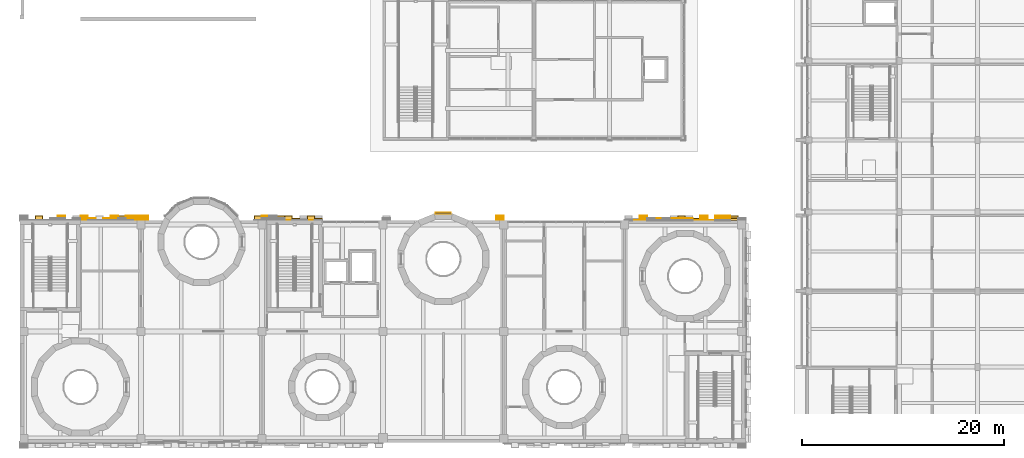
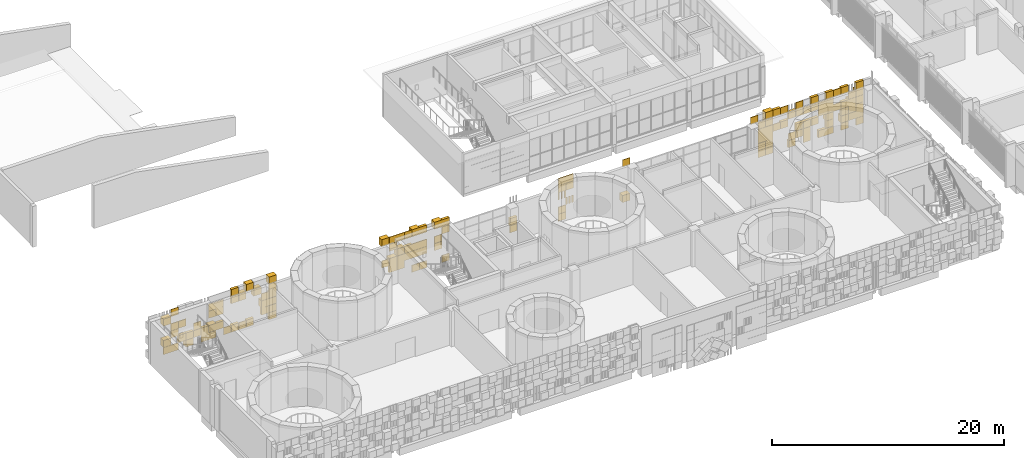
# One storey, part 68 of 92: 6 coverings.
"""IFC4 building model written with IfcOpenShell, lengths in metres."""

from ifc_helpers import new_model, si_unit, direction, frame, origin, origin_2d, place, context, subcontext, project, spatial, rectangle, extrude, material, layer, layer_set, type_object, element, save


model = new_model("IFC4")

# Units and contexts
model_context = context("Model", 3, precision=1e-05, world=origin(), true_north=direction((0.0, 1.0)))
body_context = subcontext(model_context, "Body", "Model", "MODEL_VIEW")
ifc_project = project(units=[si_unit("LENGTHUNIT", "METRE"), si_unit("AREAUNIT", "SQUARE_METRE"), si_unit("VOLUMEUNIT", "CUBIC_METRE"), si_unit("PLANEANGLEUNIT", "RADIAN"), si_unit("MASSUNIT", "GRAM", prefix="KILO")], contexts=[model_context])

# Site, building, storey
site_placement = place(None, origin())
site = spatial("IfcSite", under=ifc_project, at=site_placement, CompositionType="ELEMENT")
building_placement = place(site_placement, origin())
building = spatial("IfcBuilding", under=site, at=building_placement, Name="Sun Court Science Centre", CompositionType="ELEMENT")
storey_placement = place(building_placement, frame((0.0, 0.0, 11.25)))
storey = spatial("IfcBuildingStorey", under=building, at=storey_placement, Name="L02", CompositionType="ELEMENT", Elevation=11.25)

# Coverings
ifc_material_1 = material(Name="Terracotta jali", Category="masonry")
ifc_layer_1 = layer(ifc_material_1, 0.06005859375)
ifc_layer_set_1 = layer_set([ifc_layer_1], Name="Terracotta jali")
covering_type_1 = type_object("IfcCoveringType", Name="Terracotta open jali panel", PredefinedType="CLADDING", material=ifc_layer_set_1)
covering_1_placement = place(storey_placement, frame((0.0, 0.0, -11.25)))
element("IfcCovering", 1, at=covering_1_placement, inside=storey, type_object=covering_type_1, Name="Open jali pixel cladding cone 4 L02", PredefinedType="CLADDING", context=body_context, shape_type="SweptSolid", body=[
    extrude(rectangle(XDim=0.139892578125, YDim=0.06005859375, at=origin_2d()), frame((42.074951171875, 28.74169921875, 12.455078125), z_axis=(0.0, 0.0, 1.0), x_axis=(1.0, 0.0, 0.0)), (0.0, 0.0, 1.0), 0.739990234375),
    extrude(rectangle(XDim=0.139892578125, YDim=0.06005859375, at=origin_2d()), frame((42.375, 28.74169921875, 12.455078125), z_axis=(0.0, 0.0, 1.0), x_axis=(1.0, 0.0, 0.0)), (0.0, 0.0, 1.0), 0.739990234375),
    extrude(rectangle(XDim=0.139892578125, YDim=0.06005859375, at=origin_2d()), frame((42.675048828125, 28.74169921875, 12.455078125), z_axis=(0.0, 0.0, 1.0), x_axis=(1.0, 0.0, 0.0)), (0.0, 0.0, 1.0), 0.739990234375),
    extrude(rectangle(XDim=0.139892578125, YDim=0.06005859375, at=origin_2d()), frame((41.324951171875, 28.74169921875, 13.205078125), z_axis=(0.0, 0.0, 1.0), x_axis=(1.0, 0.0, 0.0)), (0.0, 0.0, 1.0), 0.739990234375),
    extrude(rectangle(XDim=0.139892578125, YDim=0.06005859375, at=origin_2d()), frame((41.625, 28.74169921875, 13.205078125), z_axis=(0.0, 0.0, 1.0), x_axis=(1.0, 0.0, 0.0)), (0.0, 0.0, 1.0), 0.739990234375),
    extrude(rectangle(XDim=0.139892578125, YDim=0.06005859375, at=origin_2d()), frame((41.925048828125, 28.74169921875, 13.205078125), z_axis=(0.0, 0.0, 1.0), x_axis=(1.0, 0.0, 0.0)), (0.0, 0.0, 1.0), 0.739990234375),
])
ifc_material_2 = material(Name="Terracotta shade 1", Category="masonry")
ifc_layer_2 = layer(ifc_material_2, 0.06005859375)
ifc_layer_set_2 = layer_set([ifc_layer_2], Name="Terracotta shade 1")
covering_type_2 = type_object("IfcCoveringType", Name="Terracotta pixel panel shade 1", PredefinedType="CLADDING", material=ifc_layer_set_2)
covering_2_placement = place(storey_placement, frame((0.0, 0.0, -11.25)))
element("IfcCovering", 2, at=covering_2_placement, inside=storey, type_object=covering_type_2, Name="Terracotta pixel cladding shade 1 cone 4 L02", PredefinedType="CLADDING", context=body_context, shape_type="SweptSolid", body=[
    extrude(rectangle(XDim=0.739990234375, YDim=0.06005859375, at=origin_2d()), frame((41.625, 28.74169921875, 11.705078125), z_axis=(0.0, 0.0, 1.0), x_axis=(1.0, 0.0, 0.0)), (0.0, 0.0, 1.0), 0.739990234375),
    extrude(rectangle(XDim=0.739990234375, YDim=0.06005859375, at=origin_2d()), frame((41.625, 28.74169921875, 13.955078125), z_axis=(0.0, 0.0, 1.0), x_axis=(1.0, 0.0, 0.0)), (0.0, 0.0, 1.0), 0.739990234375),
    extrude(rectangle(XDim=0.739990234375, YDim=0.06005859375, at=origin_2d()), frame((42.375, 28.74169921875, 14.705078125), z_axis=(0.0, 0.0, 1.0), x_axis=(1.0, 0.0, 0.0)), (0.0, 0.0, 1.0), 0.739990234375),
    extrude(rectangle(XDim=0.739990234375, YDim=0.06005859375, at=origin_2d()), frame((41.625, 28.74169921875, 14.705078125), z_axis=(0.0, 0.0, 1.0), x_axis=(1.0, 0.0, 0.0)), (0.0, 0.0, 1.0), 0.739990234375),
])
ifc_material_3 = material(Name="Terracotta shade 2", Category="masonry")
ifc_layer_3 = layer(ifc_material_3, 0.06005859375)
ifc_layer_set_3 = layer_set([ifc_layer_3], Name="Terracotta shade 2")
covering_type_3 = type_object("IfcCoveringType", Name="Terracotta pixel panel shade 2", PredefinedType="CLADDING", material=ifc_layer_set_3)
covering_3_placement = place(storey_placement, frame((0.0, 0.0, -11.25)))
element("IfcCovering", 3, at=covering_3_placement, inside=storey, type_object=covering_type_3, Name="Terracotta pixel cladding shade 2 north face L02", PredefinedType="CLADDING", context=body_context, shape_type="SweptSolid", body=[
    extrude(rectangle(XDim=0.739990234375, YDim=0.06005859375, at=origin_2d()), frame((2.625, 28.030029296875, 11.2548828125), z_axis=(0.0, 0.0, 1.0), x_axis=(1.0, 0.0, 0.0)), (0.0, 0.0, 1.0), 0.739990234375),
    extrude(rectangle(XDim=0.739990234375, YDim=0.06005859375, at=origin_2d()), frame((7.875, 28.030029296875, 11.2548828125), z_axis=(0.0, 0.0, 1.0), x_axis=(1.0, 0.0, 0.0)), (0.0, 0.0, 1.0), 0.739990234375),
    extrude(rectangle(XDim=0.739990234375, YDim=0.260009765625, at=origin_2d()), frame((8.625, 28.1298828125, 11.2548828125), z_axis=(0.0, 0.0, 1.0), x_axis=(1.0, 0.0, 0.0)), (0.0, 0.0, 1.0), 0.739990234375),
    extrude(rectangle(XDim=0.739990234375, YDim=0.260009765625, at=origin_2d()), frame((10.125, 28.1298828125, 11.2548828125), z_axis=(0.0, 0.0, 1.0), x_axis=(1.0, 0.0, 0.0)), (0.0, 0.0, 1.0), 0.739990234375),
    extrude(rectangle(XDim=0.739990234375, YDim=0.260009765625, at=origin_2d()), frame((12.375, 28.1298828125, 11.2548828125), z_axis=(0.0, 0.0, 1.0), x_axis=(1.0, 0.0, 0.0)), (0.0, 0.0, 1.0), 0.739990234375),
    extrude(rectangle(XDim=0.739990234375, YDim=0.06005859375, at=origin_2d()), frame((27.375, 28.030029296875, 11.2548828125), z_axis=(0.0, 0.0, 1.0), x_axis=(1.0, 0.0, 0.0)), (0.0, 0.0, 1.0), 0.739990234375),
    extrude(rectangle(XDim=0.739990234375, YDim=0.06005859375, at=origin_2d()), frame((29.625, 28.030029296875, 11.2548828125), z_axis=(0.0, 0.0, 1.0), x_axis=(1.0, 0.0, 0.0)), (0.0, 0.0, 1.0), 0.739990234375),
    extrude(rectangle(XDim=0.739990234375, YDim=0.06005859375, at=origin_2d()), frame((65.625, 28.030029296875, 11.2548828125), z_axis=(0.0, 0.0, 1.0), x_axis=(1.0, 0.0, 0.0)), (0.0, 0.0, 1.0), 0.739990234375),
    extrude(rectangle(XDim=0.739990234375, YDim=0.260009765625, at=origin_2d()), frame((67.125, 28.1298828125, 11.2548828125), z_axis=(0.0, 0.0, 1.0), x_axis=(1.0, 0.0, 0.0)), (0.0, 0.0, 1.0), 0.739990234375),
    extrude(rectangle(XDim=0.739990234375, YDim=0.06005859375, at=origin_2d()), frame((67.875, 28.030029296875, 11.2548828125), z_axis=(0.0, 0.0, 1.0), x_axis=(1.0, 0.0, 0.0)), (0.0, 0.0, 1.0), 0.739990234375),
    extrude(rectangle(XDim=0.739990234375, YDim=0.06005859375, at=origin_2d()), frame((69.375, 28.030029296875, 11.2548828125), z_axis=(0.0, 0.0, 1.0), x_axis=(1.0, 0.0, 0.0)), (0.0, 0.0, 1.0), 0.739990234375),
    extrude(rectangle(XDim=0.739990234375, YDim=0.510009765625, at=origin_2d()), frame((1.875, 28.2548828125, 12.0048828125), z_axis=(0.0, 0.0, 1.0), x_axis=(1.0, 0.0, 0.0)), (0.0, 0.0, 1.0), 0.739990234375),
    extrude(rectangle(XDim=0.739990234375, YDim=0.260009765625, at=origin_2d()), frame((4.125, 28.1298828125, 12.0048828125), z_axis=(0.0, 0.0, 1.0), x_axis=(1.0, 0.0, 0.0)), (0.0, 0.0, 1.0), 0.739990234375),
    extrude(rectangle(XDim=0.739990234375, YDim=0.06005859375, at=origin_2d()), frame((25.125, 28.030029296875, 12.0048828125), z_axis=(0.0, 0.0, 1.0), x_axis=(1.0, 0.0, 0.0)), (0.0, 0.0, 1.0), 0.739990234375),
    extrude(rectangle(XDim=0.739990234375, YDim=0.06005859375, at=origin_2d()), frame((61.875, 28.030029296875, 12.0048828125), z_axis=(0.0, 0.0, 1.0), x_axis=(1.0, 0.0, 0.0)), (0.0, 0.0, 1.0), 0.739990234375),
    extrude(rectangle(XDim=0.739990234375, YDim=0.06005859375, at=origin_2d()), frame((64.125, 28.030029296875, 12.0048828125), z_axis=(0.0, 0.0, 1.0), x_axis=(1.0, 0.0, 0.0)), (0.0, 0.0, 1.0), 0.739990234375),
    extrude(rectangle(XDim=0.739990234375, YDim=0.06005859375, at=origin_2d()), frame((64.875, 28.030029296875, 12.0048828125), z_axis=(0.0, 0.0, 1.0), x_axis=(1.0, 0.0, 0.0)), (0.0, 0.0, 1.0), 0.739990234375),
    extrude(rectangle(XDim=0.739990234375, YDim=0.510009765625, at=origin_2d()), frame((65.625, 28.2548828125, 12.0048828125), z_axis=(0.0, 0.0, 1.0), x_axis=(1.0, 0.0, 0.0)), (0.0, 0.0, 1.0), 0.739990234375),
    extrude(rectangle(XDim=0.739990234375, YDim=0.260009765625, at=origin_2d()), frame((70.125, 28.1298828125, 12.0048828125), z_axis=(0.0, 0.0, 1.0), x_axis=(1.0, 0.0, 0.0)), (0.0, 0.0, 1.0), 0.739990234375),
    extrude(rectangle(XDim=0.739990234375, YDim=0.260009765625, at=origin_2d()), frame((25.125, 28.1298828125, 12.7548828125), z_axis=(0.0, 0.0, 1.0), x_axis=(1.0, 0.0, 0.0)), (0.0, 0.0, 1.0), 0.739990234375),
    extrude(rectangle(XDim=0.739990234375, YDim=0.510009765625, at=origin_2d()), frame((25.875, 28.2548828125, 12.7548828125), z_axis=(0.0, 0.0, 1.0), x_axis=(1.0, 0.0, 0.0)), (0.0, 0.0, 1.0), 0.739990234375),
    extrude(rectangle(XDim=0.739990234375, YDim=0.510009765625, at=origin_2d()), frame((26.625, 28.2548828125, 12.7548828125), z_axis=(0.0, 0.0, 1.0), x_axis=(1.0, 0.0, 0.0)), (0.0, 0.0, 1.0), 0.739990234375),
    extrude(rectangle(XDim=0.739990234375, YDim=0.260009765625, at=origin_2d()), frame((27.375, 28.1298828125, 12.7548828125), z_axis=(0.0, 0.0, 1.0), x_axis=(1.0, 0.0, 0.0)), (0.0, 0.0, 1.0), 0.739990234375),
    extrude(rectangle(XDim=0.739990234375, YDim=0.06005859375, at=origin_2d()), frame((28.875, 28.030029296875, 12.7548828125), z_axis=(0.0, 0.0, 1.0), x_axis=(1.0, 0.0, 0.0)), (0.0, 0.0, 1.0), 0.739990234375),
    extrude(rectangle(XDim=0.739990234375, YDim=0.06005859375, at=origin_2d()), frame((61.125, 28.030029296875, 12.7548828125), z_axis=(0.0, 0.0, 1.0), x_axis=(1.0, 0.0, 0.0)), (0.0, 0.0, 1.0), 0.739990234375),
    extrude(rectangle(XDim=0.739990234375, YDim=0.06005859375, at=origin_2d()), frame((61.875, 28.030029296875, 12.7548828125), z_axis=(0.0, 0.0, 1.0), x_axis=(1.0, 0.0, 0.0)), (0.0, 0.0, 1.0), 0.739990234375),
    extrude(rectangle(XDim=0.739990234375, YDim=0.260009765625, at=origin_2d()), frame((69.375, 28.1298828125, 12.7548828125), z_axis=(0.0, 0.0, 1.0), x_axis=(1.0, 0.0, 0.0)), (0.0, 0.0, 1.0), 0.739990234375),
    extrude(rectangle(XDim=0.739990234375, YDim=0.06005859375, at=origin_2d()), frame((3.375, 28.030029296875, 13.5048828125), z_axis=(0.0, 0.0, 1.0), x_axis=(1.0, 0.0, 0.0)), (0.0, 0.0, 1.0), 0.739990234375),
    extrude(rectangle(XDim=0.739990234375, YDim=0.06005859375, at=origin_2d()), frame((6.375, 28.030029296875, 13.5048828125), z_axis=(0.0, 0.0, 1.0), x_axis=(1.0, 0.0, 0.0)), (0.0, 0.0, 1.0), 0.739990234375),
    extrude(rectangle(XDim=0.739990234375, YDim=0.260009765625, at=origin_2d()), frame((12.375, 28.1298828125, 13.5048828125), z_axis=(0.0, 0.0, 1.0), x_axis=(1.0, 0.0, 0.0)), (0.0, 0.0, 1.0), 0.739990234375),
    extrude(rectangle(XDim=0.739990234375, YDim=0.260009765625, at=origin_2d()), frame((25.875, 28.1298828125, 13.5048828125), z_axis=(0.0, 0.0, 1.0), x_axis=(1.0, 0.0, 0.0)), (0.0, 0.0, 1.0), 0.739990234375),
    extrude(rectangle(XDim=0.739990234375, YDim=0.06005859375, at=origin_2d()), frame((26.625, 28.030029296875, 13.5048828125), z_axis=(0.0, 0.0, 1.0), x_axis=(1.0, 0.0, 0.0)), (0.0, 0.0, 1.0), 0.739990234375),
    extrude(rectangle(XDim=0.739990234375, YDim=0.06005859375, at=origin_2d()), frame((27.375, 28.030029296875, 13.5048828125), z_axis=(0.0, 0.0, 1.0), x_axis=(1.0, 0.0, 0.0)), (0.0, 0.0, 1.0), 0.739990234375),
    extrude(rectangle(XDim=0.739990234375, YDim=0.06005859375, at=origin_2d()), frame((61.125, 28.030029296875, 13.5048828125), z_axis=(0.0, 0.0, 1.0), x_axis=(1.0, 0.0, 0.0)), (0.0, 0.0, 1.0), 0.739990234375),
    extrude(rectangle(XDim=0.739990234375, YDim=0.06005859375, at=origin_2d()), frame((61.875, 28.030029296875, 13.5048828125), z_axis=(0.0, 0.0, 1.0), x_axis=(1.0, 0.0, 0.0)), (0.0, 0.0, 1.0), 0.739990234375),
    extrude(rectangle(XDim=0.739990234375, YDim=0.06005859375, at=origin_2d()), frame((12.375, 28.030029296875, 14.2548828125), z_axis=(0.0, 0.0, 1.0), x_axis=(1.0, 0.0, 0.0)), (0.0, 0.0, 1.0), 0.739990234375),
    extrude(rectangle(XDim=0.739990234375, YDim=0.06005859375, at=origin_2d()), frame((24.375, 28.030029296875, 14.2548828125), z_axis=(0.0, 0.0, 1.0), x_axis=(1.0, 0.0, 0.0)), (0.0, 0.0, 1.0), 0.739990234375),
    extrude(rectangle(XDim=0.739990234375, YDim=0.06005859375, at=origin_2d()), frame((61.125, 28.030029296875, 14.2548828125), z_axis=(0.0, 0.0, 1.0), x_axis=(1.0, 0.0, 0.0)), (0.0, 0.0, 1.0), 0.739990234375),
    extrude(rectangle(XDim=0.739990234375, YDim=0.260009765625, at=origin_2d()), frame((64.125, 28.1298828125, 14.2548828125), z_axis=(0.0, 0.0, 1.0), x_axis=(1.0, 0.0, 0.0)), (0.0, 0.0, 1.0), 0.739990234375),
    extrude(rectangle(XDim=0.739990234375, YDim=0.260009765625, at=origin_2d()), frame((64.875, 28.1298828125, 14.2548828125), z_axis=(0.0, 0.0, 1.0), x_axis=(1.0, 0.0, 0.0)), (0.0, 0.0, 1.0), 0.739990234375),
    extrude(rectangle(XDim=0.739990234375, YDim=0.06005859375, at=origin_2d()), frame((65.625, 28.030029296875, 14.2548828125), z_axis=(0.0, 0.0, 1.0), x_axis=(1.0, 0.0, 0.0)), (0.0, 0.0, 1.0), 0.739990234375),
    extrude(rectangle(XDim=0.739990234375, YDim=0.510009765625, at=origin_2d()), frame((10.125, 28.2548828125, 15.0048828125), z_axis=(0.0, 0.0, 1.0), x_axis=(1.0, 0.0, 0.0)), (0.0, 0.0, 1.0), 0.739990234375),
    extrude(rectangle(XDim=0.739990234375, YDim=0.510009765625, at=origin_2d()), frame((23.625, 28.2548828125, 15.0048828125), z_axis=(0.0, 0.0, 1.0), x_axis=(1.0, 0.0, 0.0)), (0.0, 0.0, 1.0), 0.739990234375),
    extrude(rectangle(XDim=0.739990234375, YDim=0.510009765625, at=origin_2d()), frame((26.625, 28.2548828125, 15.0048828125), z_axis=(0.0, 0.0, 1.0), x_axis=(1.0, 0.0, 0.0)), (0.0, 0.0, 1.0), 0.739990234375),
    extrude(rectangle(XDim=0.739990234375, YDim=0.260009765625, at=origin_2d()), frame((27.375, 28.1298828125, 15.0048828125), z_axis=(0.0, 0.0, 1.0), x_axis=(1.0, 0.0, 0.0)), (0.0, 0.0, 1.0), 0.739990234375),
    extrude(rectangle(XDim=0.739990234375, YDim=0.510009765625, at=origin_2d()), frame((28.875, 28.2548828125, 15.0048828125), z_axis=(0.0, 0.0, 1.0), x_axis=(1.0, 0.0, 0.0)), (0.0, 0.0, 1.0), 0.739990234375),
    extrude(rectangle(XDim=0.739990234375, YDim=0.260009765625, at=origin_2d()), frame((29.625, 28.1298828125, 15.0048828125), z_axis=(0.0, 0.0, 1.0), x_axis=(1.0, 0.0, 0.0)), (0.0, 0.0, 1.0), 0.739990234375),
    extrude(rectangle(XDim=0.739990234375, YDim=0.510009765625, at=origin_2d()), frame((61.875, 28.2548828125, 15.0048828125), z_axis=(0.0, 0.0, 1.0), x_axis=(1.0, 0.0, 0.0)), (0.0, 0.0, 1.0), 0.739990234375),
    extrude(rectangle(XDim=0.739990234375, YDim=0.06005859375, at=origin_2d()), frame((64.875, 28.030029296875, 15.0048828125), z_axis=(0.0, 0.0, 1.0), x_axis=(1.0, 0.0, 0.0)), (0.0, 0.0, 1.0), 0.739990234375),
    extrude(rectangle(XDim=0.739990234375, YDim=0.06005859375, at=origin_2d()), frame((68.625, 28.030029296875, 15.0048828125), z_axis=(0.0, 0.0, 1.0), x_axis=(1.0, 0.0, 0.0)), (0.0, 0.0, 1.0), 0.739990234375),
    extrude(rectangle(XDim=0.739990234375, YDim=0.260009765625, at=origin_2d()), frame((70.875, 28.1298828125, 15.0048828125), z_axis=(0.0, 0.0, 1.0), x_axis=(1.0, 0.0, 0.0)), (0.0, 0.0, 1.0), 0.739990234375),
    extrude(rectangle(XDim=0.739990234375, YDim=0.510009765625, at=origin_2d()), frame((1.875, 28.2548828125, 14.2548828125), z_axis=(0.0, 0.0, 1.0), x_axis=(1.0, 0.0, 0.0)), (0.0, 0.0, 1.0), 0.739990234375),
    extrude(rectangle(XDim=0.739990234375, YDim=0.06005859375, at=origin_2d()), frame((70.875, 28.030029296875, 12.0048828125), z_axis=(0.0, 0.0, 1.0), x_axis=(1.0, 0.0, 0.0)), (0.0, 0.0, 1.0), 0.739990234375),
    extrude(rectangle(XDim=0.739990234375, YDim=0.510009765625, at=origin_2d()), frame((70.875, 28.2548828125, 14.2548828125), z_axis=(0.0, 0.0, 1.0), x_axis=(1.0, 0.0, 0.0)), (0.0, 0.0, 1.0), 0.739990234375),
    extrude(rectangle(XDim=0.739990234375, YDim=0.06005859375, at=origin_2d()), frame((1.875, 28.030029296875, 11.2548828125), z_axis=(0.0, 0.0, 1.0), x_axis=(1.0, 0.0, 0.0)), (0.0, 0.0, 1.0), 0.739990234375),
    extrude(rectangle(XDim=0.739990234375, YDim=0.06005859375, at=origin_2d()), frame((70.875, 28.030029296875, 11.2548828125), z_axis=(0.0, 0.0, 1.0), x_axis=(1.0, 0.0, 0.0)), (0.0, 0.0, 1.0), 0.739990234375),
    extrude(rectangle(XDim=0.739990234375, YDim=0.260009765625, at=origin_2d()), frame((70.875, 28.1298828125, 12.7548828125), z_axis=(0.0, 0.0, 1.0), x_axis=(1.0, 0.0, 0.0)), (0.0, 0.0, 1.0), 0.739990234375),
    extrude(rectangle(XDim=0.739990234375, YDim=0.510009765625, at=origin_2d()), frame((70.875, 28.2548828125, 13.5048828125), z_axis=(0.0, 0.0, 1.0), x_axis=(1.0, 0.0, 0.0)), (0.0, 0.0, 1.0), 0.739990234375),
])
ifc_material_4 = material(Name="Terracotta shade 3", Category="masonry")
ifc_layer_4 = layer(ifc_material_4, 0.06005859375)
ifc_layer_set_4 = layer_set([ifc_layer_4], Name="Terracotta shade 3")
covering_type_4 = type_object("IfcCoveringType", Name="Terracotta pixel panel shade 3", PredefinedType="CLADDING", material=ifc_layer_set_4)
covering_4_placement = place(storey_placement, frame((0.0, 0.0, -11.25)))
element("IfcCovering", 4, at=covering_4_placement, inside=storey, type_object=covering_type_4, Name="Terracotta pixel cladding shade 3 north face L02", PredefinedType="CLADDING", context=body_context, shape_type="SweptSolid", body=[
    extrude(rectangle(XDim=0.739990234375, YDim=0.510009765625, at=origin_2d()), frame((4.125, 28.2548828125, 11.2548828125), z_axis=(0.0, 0.0, 1.0), x_axis=(1.0, 0.0, 0.0)), (0.0, 0.0, 1.0), 0.739990234375),
    extrude(rectangle(XDim=0.739990234375, YDim=0.06005859375, at=origin_2d()), frame((5.625, 28.030029296875, 11.2548828125), z_axis=(0.0, 0.0, 1.0), x_axis=(1.0, 0.0, 0.0)), (0.0, 0.0, 1.0), 0.739990234375),
    extrude(rectangle(XDim=0.739990234375, YDim=0.06005859375, at=origin_2d()), frame((6.375, 28.030029296875, 11.2548828125), z_axis=(0.0, 0.0, 1.0), x_axis=(1.0, 0.0, 0.0)), (0.0, 0.0, 1.0), 0.739990234375),
    extrude(rectangle(XDim=0.739990234375, YDim=0.06005859375, at=origin_2d()), frame((9.375, 28.030029296875, 11.2548828125), z_axis=(0.0, 0.0, 1.0), x_axis=(1.0, 0.0, 0.0)), (0.0, 0.0, 1.0), 0.739990234375),
    extrude(rectangle(XDim=0.739990234375, YDim=0.06005859375, at=origin_2d()), frame((26.625, 28.030029296875, 11.2548828125), z_axis=(0.0, 0.0, 1.0), x_axis=(1.0, 0.0, 0.0)), (0.0, 0.0, 1.0), 0.739990234375),
    extrude(rectangle(XDim=0.739990234375, YDim=0.06005859375, at=origin_2d()), frame((61.125, 28.030029296875, 11.2548828125), z_axis=(0.0, 0.0, 1.0), x_axis=(1.0, 0.0, 0.0)), (0.0, 0.0, 1.0), 0.739990234375),
    extrude(rectangle(XDim=0.739990234375, YDim=0.260009765625, at=origin_2d()), frame((3.375, 28.1298828125, 12.0048828125), z_axis=(0.0, 0.0, 1.0), x_axis=(1.0, 0.0, 0.0)), (0.0, 0.0, 1.0), 0.739990234375),
    extrude(rectangle(XDim=0.739990234375, YDim=0.260009765625, at=origin_2d()), frame((5.625, 28.1298828125, 12.0048828125), z_axis=(0.0, 0.0, 1.0), x_axis=(1.0, 0.0, 0.0)), (0.0, 0.0, 1.0), 0.739990234375),
    extrude(rectangle(XDim=0.739990234375, YDim=0.260009765625, at=origin_2d()), frame((11.625, 28.1298828125, 12.0048828125), z_axis=(0.0, 0.0, 1.0), x_axis=(1.0, 0.0, 0.0)), (0.0, 0.0, 1.0), 0.739990234375),
    extrude(rectangle(XDim=0.739990234375, YDim=0.260009765625, at=origin_2d()), frame((67.875, 28.1298828125, 12.0048828125), z_axis=(0.0, 0.0, 1.0), x_axis=(1.0, 0.0, 0.0)), (0.0, 0.0, 1.0), 0.739990234375),
    extrude(rectangle(XDim=0.739990234375, YDim=0.510009765625, at=origin_2d()), frame((69.375, 28.2548828125, 12.0048828125), z_axis=(0.0, 0.0, 1.0), x_axis=(1.0, 0.0, 0.0)), (0.0, 0.0, 1.0), 0.739990234375),
    extrude(rectangle(XDim=0.739990234375, YDim=0.06005859375, at=origin_2d()), frame((2.625, 28.030029296875, 12.7548828125), z_axis=(0.0, 0.0, 1.0), x_axis=(1.0, 0.0, 0.0)), (0.0, 0.0, 1.0), 0.739990234375),
    extrude(rectangle(XDim=0.739990234375, YDim=0.06005859375, at=origin_2d()), frame((4.875, 28.030029296875, 12.7548828125), z_axis=(0.0, 0.0, 1.0), x_axis=(1.0, 0.0, 0.0)), (0.0, 0.0, 1.0), 0.739990234375),
    extrude(rectangle(XDim=0.739990234375, YDim=0.510009765625, at=origin_2d()), frame((11.625, 28.2548828125, 12.7548828125), z_axis=(0.0, 0.0, 1.0), x_axis=(1.0, 0.0, 0.0)), (0.0, 0.0, 1.0), 0.739990234375),
    extrude(rectangle(XDim=0.739990234375, YDim=0.06005859375, at=origin_2d()), frame((12.375, 28.030029296875, 12.7548828125), z_axis=(0.0, 0.0, 1.0), x_axis=(1.0, 0.0, 0.0)), (0.0, 0.0, 1.0), 0.739990234375),
    extrude(rectangle(XDim=0.739990234375, YDim=0.260009765625, at=origin_2d()), frame((36.375, 28.1298828125, 12.7548828125), z_axis=(0.0, 0.0, 1.0), x_axis=(1.0, 0.0, 0.0)), (0.0, 0.0, 1.0), 0.739990234375),
    extrude(rectangle(XDim=0.739990234375, YDim=0.260009765625, at=origin_2d()), frame((64.875, 28.1298828125, 12.7548828125), z_axis=(0.0, 0.0, 1.0), x_axis=(1.0, 0.0, 0.0)), (0.0, 0.0, 1.0), 0.739990234375),
    extrude(rectangle(XDim=0.739990234375, YDim=0.260009765625, at=origin_2d()), frame((65.625, 28.1298828125, 12.7548828125), z_axis=(0.0, 0.0, 1.0), x_axis=(1.0, 0.0, 0.0)), (0.0, 0.0, 1.0), 0.739990234375),
    extrude(rectangle(XDim=0.739990234375, YDim=0.260009765625, at=origin_2d()), frame((66.375, 28.1298828125, 12.7548828125), z_axis=(0.0, 0.0, 1.0), x_axis=(1.0, 0.0, 0.0)), (0.0, 0.0, 1.0), 0.739990234375),
    extrude(rectangle(XDim=0.739990234375, YDim=0.510009765625, at=origin_2d()), frame((67.875, 28.2548828125, 12.7548828125), z_axis=(0.0, 0.0, 1.0), x_axis=(1.0, 0.0, 0.0)), (0.0, 0.0, 1.0), 0.739990234375),
    extrude(rectangle(XDim=0.739990234375, YDim=0.06005859375, at=origin_2d()), frame((2.625, 28.030029296875, 13.5048828125), z_axis=(0.0, 0.0, 1.0), x_axis=(1.0, 0.0, 0.0)), (0.0, 0.0, 1.0), 0.739990234375),
    extrude(rectangle(XDim=0.739990234375, YDim=0.06005859375, at=origin_2d()), frame((7.125, 28.030029296875, 13.5048828125), z_axis=(0.0, 0.0, 1.0), x_axis=(1.0, 0.0, 0.0)), (0.0, 0.0, 1.0), 0.739990234375),
    extrude(rectangle(XDim=0.739990234375, YDim=0.06005859375, at=origin_2d()), frame((11.625, 28.030029296875, 13.5048828125), z_axis=(0.0, 0.0, 1.0), x_axis=(1.0, 0.0, 0.0)), (0.0, 0.0, 1.0), 0.739990234375),
    extrude(rectangle(XDim=0.739990234375, YDim=0.510009765625, at=origin_2d()), frame((25.125, 28.2548828125, 13.5048828125), z_axis=(0.0, 0.0, 1.0), x_axis=(1.0, 0.0, 0.0)), (0.0, 0.0, 1.0), 0.739990234375),
    extrude(rectangle(XDim=0.739990234375, YDim=0.06005859375, at=origin_2d()), frame((62.625, 28.030029296875, 13.5048828125), z_axis=(0.0, 0.0, 1.0), x_axis=(1.0, 0.0, 0.0)), (0.0, 0.0, 1.0), 0.739990234375),
    extrude(rectangle(XDim=0.739990234375, YDim=0.260009765625, at=origin_2d()), frame((69.375, 28.1298828125, 13.5048828125), z_axis=(0.0, 0.0, 1.0), x_axis=(1.0, 0.0, 0.0)), (0.0, 0.0, 1.0), 0.739990234375),
    extrude(rectangle(XDim=0.739990234375, YDim=0.06005859375, at=origin_2d()), frame((6.375, 28.030029296875, 14.2548828125), z_axis=(0.0, 0.0, 1.0), x_axis=(1.0, 0.0, 0.0)), (0.0, 0.0, 1.0), 0.739990234375),
    extrude(rectangle(XDim=0.739990234375, YDim=0.06005859375, at=origin_2d()), frame((7.125, 28.030029296875, 14.2548828125), z_axis=(0.0, 0.0, 1.0), x_axis=(1.0, 0.0, 0.0)), (0.0, 0.0, 1.0), 0.739990234375),
    extrude(rectangle(XDim=0.739990234375, YDim=0.510009765625, at=origin_2d()), frame((10.875, 28.2548828125, 14.2548828125), z_axis=(0.0, 0.0, 1.0), x_axis=(1.0, 0.0, 0.0)), (0.0, 0.0, 1.0), 0.739990234375),
    extrude(rectangle(XDim=0.739990234375, YDim=0.06005859375, at=origin_2d()), frame((29.625, 28.030029296875, 14.2548828125), z_axis=(0.0, 0.0, 1.0), x_axis=(1.0, 0.0, 0.0)), (0.0, 0.0, 1.0), 0.739990234375),
    extrude(rectangle(XDim=0.739990234375, YDim=0.510009765625, at=origin_2d()), frame((61.875, 28.2548828125, 14.2548828125), z_axis=(0.0, 0.0, 1.0), x_axis=(1.0, 0.0, 0.0)), (0.0, 0.0, 1.0), 0.739990234375),
    extrude(rectangle(XDim=0.739990234375, YDim=0.06005859375, at=origin_2d()), frame((66.375, 28.030029296875, 14.2548828125), z_axis=(0.0, 0.0, 1.0), x_axis=(1.0, 0.0, 0.0)), (0.0, 0.0, 1.0), 0.739990234375),
    extrude(rectangle(XDim=0.739990234375, YDim=0.06005859375, at=origin_2d()), frame((70.125, 28.030029296875, 14.2548828125), z_axis=(0.0, 0.0, 1.0), x_axis=(1.0, 0.0, 0.0)), (0.0, 0.0, 1.0), 0.739990234375),
    extrude(rectangle(XDim=0.739990234375, YDim=0.260009765625, at=origin_2d()), frame((8.625, 28.1298828125, 15.0048828125), z_axis=(0.0, 0.0, 1.0), x_axis=(1.0, 0.0, 0.0)), (0.0, 0.0, 1.0), 0.739990234375),
    extrude(rectangle(XDim=0.739990234375, YDim=0.06005859375, at=origin_2d()), frame((24.375, 28.030029296875, 15.0048828125), z_axis=(0.0, 0.0, 1.0), x_axis=(1.0, 0.0, 0.0)), (0.0, 0.0, 1.0), 0.739990234375),
    extrude(rectangle(XDim=0.739990234375, YDim=0.06005859375, at=origin_2d()), frame((25.125, 28.030029296875, 15.0048828125), z_axis=(0.0, 0.0, 1.0), x_axis=(1.0, 0.0, 0.0)), (0.0, 0.0, 1.0), 0.739990234375),
    extrude(rectangle(XDim=0.739990234375, YDim=0.06005859375, at=origin_2d()), frame((47.625, 28.030029296875, 15.0048828125), z_axis=(0.0, 0.0, 1.0), x_axis=(1.0, 0.0, 0.0)), (0.0, 0.0, 1.0), 0.739990234375),
    extrude(rectangle(XDim=0.739990234375, YDim=0.06005859375, at=origin_2d()), frame((60.375, 28.030029296875, 15.0048828125), z_axis=(0.0, 0.0, 1.0), x_axis=(1.0, 0.0, 0.0)), (0.0, 0.0, 1.0), 0.739990234375),
    extrude(rectangle(XDim=0.739990234375, YDim=0.260009765625, at=origin_2d()), frame((62.625, 28.1298828125, 15.0048828125), z_axis=(0.0, 0.0, 1.0), x_axis=(1.0, 0.0, 0.0)), (0.0, 0.0, 1.0), 0.739990234375),
    extrude(rectangle(XDim=0.739990234375, YDim=0.260009765625, at=origin_2d()), frame((66.375, 28.1298828125, 15.0048828125), z_axis=(0.0, 0.0, 1.0), x_axis=(1.0, 0.0, 0.0)), (0.0, 0.0, 1.0), 0.739990234375),
    extrude(rectangle(XDim=0.739990234375, YDim=0.06005859375, at=origin_2d()), frame((2.625, 28.030029296875, 15.0048828125), z_axis=(0.0, 0.0, 1.0), x_axis=(1.0, 0.0, 0.0)), (0.0, 0.0, 1.0), 0.739990234375),
    extrude(rectangle(XDim=0.739990234375, YDim=0.510009765625, at=origin_2d()), frame((70.125, 28.2548828125, 13.5048828125), z_axis=(0.0, 0.0, 1.0), x_axis=(1.0, 0.0, 0.0)), (0.0, 0.0, 1.0), 0.739990234375),
    extrude(rectangle(XDim=0.739990234375, YDim=0.510009765625, at=origin_2d()), frame((70.125, 28.2548828125, 12.7548828125), z_axis=(0.0, 0.0, 1.0), x_axis=(1.0, 0.0, 0.0)), (0.0, 0.0, 1.0), 0.739990234375),
])
covering_5_placement = place(storey_placement, frame((0.0, 0.0, -11.25)))
element("IfcCovering", 5, at=covering_5_placement, inside=storey, type_object=covering_type_4, Name="Terracotta pixel cladding shade 3 cone 4 L02", PredefinedType="CLADDING", context=body_context, shape_type="SweptSolid", body=[
    extrude(rectangle(XDim=0.739990234375, YDim=0.06005859375, at=origin_2d()), frame((41.625, 28.74169921875, 10.955078125), z_axis=(0.0, 0.0, 1.0), x_axis=(1.0, 0.0, 0.0)), (0.0, 0.0, 1.0), 0.739990234375),
    extrude(rectangle(XDim=0.739990234375, YDim=0.06005859375, at=origin_2d()), frame((42.375, 28.74169921875, 13.955078125), z_axis=(0.0, 0.0, 1.0), x_axis=(1.0, 0.0, 0.0)), (0.0, 0.0, 1.0), 0.739990234375),
])
ifc_material_5 = material(Name="Terracotta shade 4", Category="masonry")
ifc_layer_5 = layer(ifc_material_5, 0.06005859375)
ifc_layer_set_5 = layer_set([ifc_layer_5], Name="Terracotta shade 4")
covering_type_5 = type_object("IfcCoveringType", Name="Terracotta pixel panel shade 4", PredefinedType="CLADDING", material=ifc_layer_set_5)
covering_6_placement = place(storey_placement, frame((0.0, 0.0, -11.25)))
element("IfcCovering", 6, at=covering_6_placement, inside=storey, type_object=covering_type_5, Name="Terracotta pixel cladding shade 4 north face L02", PredefinedType="CLADDING", context=body_context, shape_type="SweptSolid", body=[
    extrude(rectangle(XDim=0.739990234375, YDim=0.510009765625, at=origin_2d()), frame((47.625, 28.2548828125, 11.2548828125), z_axis=(0.0, 0.0, 1.0), x_axis=(1.0, 0.0, 0.0)), (0.0, 0.0, 1.0), 0.739990234375),
    extrude(rectangle(XDim=0.739990234375, YDim=0.06005859375, at=origin_2d()), frame((61.875, 28.030029296875, 11.2548828125), z_axis=(0.0, 0.0, 1.0), x_axis=(1.0, 0.0, 0.0)), (0.0, 0.0, 1.0), 0.739990234375),
    extrude(rectangle(XDim=0.739990234375, YDim=0.260009765625, at=origin_2d()), frame((64.125, 28.1298828125, 11.2548828125), z_axis=(0.0, 0.0, 1.0), x_axis=(1.0, 0.0, 0.0)), (0.0, 0.0, 1.0), 0.739990234375),
    extrude(rectangle(XDim=0.739990234375, YDim=0.06005859375, at=origin_2d()), frame((4.875, 28.030029296875, 12.0048828125), z_axis=(0.0, 0.0, 1.0), x_axis=(1.0, 0.0, 0.0)), (0.0, 0.0, 1.0), 0.739990234375),
    extrude(rectangle(XDim=0.739990234375, YDim=0.510009765625, at=origin_2d()), frame((6.375, 28.2548828125, 12.0048828125), z_axis=(0.0, 0.0, 1.0), x_axis=(1.0, 0.0, 0.0)), (0.0, 0.0, 1.0), 0.739990234375),
    extrude(rectangle(XDim=0.739990234375, YDim=0.260009765625, at=origin_2d()), frame((7.125, 28.1298828125, 12.0048828125), z_axis=(0.0, 0.0, 1.0), x_axis=(1.0, 0.0, 0.0)), (0.0, 0.0, 1.0), 0.739990234375),
    extrude(rectangle(XDim=0.739990234375, YDim=0.06005859375, at=origin_2d()), frame((12.375, 28.030029296875, 12.0048828125), z_axis=(0.0, 0.0, 1.0), x_axis=(1.0, 0.0, 0.0)), (0.0, 0.0, 1.0), 0.739990234375),
    extrude(rectangle(XDim=0.739990234375, YDim=0.260009765625, at=origin_2d()), frame((24.375, 28.1298828125, 12.0048828125), z_axis=(0.0, 0.0, 1.0), x_axis=(1.0, 0.0, 0.0)), (0.0, 0.0, 1.0), 0.739990234375),
    extrude(rectangle(XDim=0.739990234375, YDim=0.06005859375, at=origin_2d()), frame((36.375, 28.030029296875, 12.0048828125), z_axis=(0.0, 0.0, 1.0), x_axis=(1.0, 0.0, 0.0)), (0.0, 0.0, 1.0), 0.739990234375),
    extrude(rectangle(XDim=0.739990234375, YDim=0.06005859375, at=origin_2d()), frame((61.125, 28.030029296875, 12.0048828125), z_axis=(0.0, 0.0, 1.0), x_axis=(1.0, 0.0, 0.0)), (0.0, 0.0, 1.0), 0.739990234375),
    extrude(rectangle(XDim=0.739990234375, YDim=0.06005859375, at=origin_2d()), frame((23.625, 28.030029296875, 12.7548828125), z_axis=(0.0, 0.0, 1.0), x_axis=(1.0, 0.0, 0.0)), (0.0, 0.0, 1.0), 0.739990234375),
    extrude(rectangle(XDim=0.739990234375, YDim=0.510009765625, at=origin_2d()), frame((24.375, 28.2548828125, 12.7548828125), z_axis=(0.0, 0.0, 1.0), x_axis=(1.0, 0.0, 0.0)), (0.0, 0.0, 1.0), 0.739990234375),
    extrude(rectangle(XDim=0.739990234375, YDim=0.06005859375, at=origin_2d()), frame((28.875, 28.030029296875, 13.5048828125), z_axis=(0.0, 0.0, 1.0), x_axis=(1.0, 0.0, 0.0)), (0.0, 0.0, 1.0), 0.739990234375),
    extrude(rectangle(XDim=0.739990234375, YDim=0.260009765625, at=origin_2d()), frame((63.375, 28.1298828125, 13.5048828125), z_axis=(0.0, 0.0, 1.0), x_axis=(1.0, 0.0, 0.0)), (0.0, 0.0, 1.0), 0.739990234375),
    extrude(rectangle(XDim=0.739990234375, YDim=0.06005859375, at=origin_2d()), frame((67.125, 28.030029296875, 13.5048828125), z_axis=(0.0, 0.0, 1.0), x_axis=(1.0, 0.0, 0.0)), (0.0, 0.0, 1.0), 0.739990234375),
    extrude(rectangle(XDim=0.739990234375, YDim=0.260009765625, at=origin_2d()), frame((67.875, 28.1298828125, 13.5048828125), z_axis=(0.0, 0.0, 1.0), x_axis=(1.0, 0.0, 0.0)), (0.0, 0.0, 1.0), 0.739990234375),
    extrude(rectangle(XDim=0.739990234375, YDim=0.06005859375, at=origin_2d()), frame((68.625, 28.030029296875, 13.5048828125), z_axis=(0.0, 0.0, 1.0), x_axis=(1.0, 0.0, 0.0)), (0.0, 0.0, 1.0), 0.739990234375),
    extrude(rectangle(XDim=0.739990234375, YDim=0.260009765625, at=origin_2d()), frame((8.625, 28.1298828125, 14.2548828125), z_axis=(0.0, 0.0, 1.0), x_axis=(1.0, 0.0, 0.0)), (0.0, 0.0, 1.0), 0.739990234375),
    extrude(rectangle(XDim=0.739990234375, YDim=0.510009765625, at=origin_2d()), frame((9.375, 28.2548828125, 14.2548828125), z_axis=(0.0, 0.0, 1.0), x_axis=(1.0, 0.0, 0.0)), (0.0, 0.0, 1.0), 0.739990234375),
    extrude(rectangle(XDim=0.739990234375, YDim=0.06005859375, at=origin_2d()), frame((67.125, 28.030029296875, 14.2548828125), z_axis=(0.0, 0.0, 1.0), x_axis=(1.0, 0.0, 0.0)), (0.0, 0.0, 1.0), 0.739990234375),
    extrude(rectangle(XDim=0.739990234375, YDim=0.260009765625, at=origin_2d()), frame((67.875, 28.1298828125, 14.2548828125), z_axis=(0.0, 0.0, 1.0), x_axis=(1.0, 0.0, 0.0)), (0.0, 0.0, 1.0), 0.739990234375),
    extrude(rectangle(XDim=0.739990234375, YDim=0.510009765625, at=origin_2d()), frame((12.375, 28.2548828125, 15.0048828125), z_axis=(0.0, 0.0, 1.0), x_axis=(1.0, 0.0, 0.0)), (0.0, 0.0, 1.0), 0.739990234375),
    extrude(rectangle(XDim=0.739990234375, YDim=0.06005859375, at=origin_2d()), frame((25.875, 28.030029296875, 15.0048828125), z_axis=(0.0, 0.0, 1.0), x_axis=(1.0, 0.0, 0.0)), (0.0, 0.0, 1.0), 0.739990234375),
    extrude(rectangle(XDim=0.739990234375, YDim=0.06005859375, at=origin_2d()), frame((63.375, 28.030029296875, 15.0048828125), z_axis=(0.0, 0.0, 1.0), x_axis=(1.0, 0.0, 0.0)), (0.0, 0.0, 1.0), 0.739990234375),
    extrude(rectangle(XDim=0.739990234375, YDim=0.260009765625, at=origin_2d()), frame((67.875, 28.1298828125, 15.0048828125), z_axis=(0.0, 0.0, 1.0), x_axis=(1.0, 0.0, 0.0)), (0.0, 0.0, 1.0), 0.739990234375),
    extrude(rectangle(XDim=0.739990234375, YDim=0.260009765625, at=origin_2d()), frame((69.375, 28.1298828125, 15.0048828125), z_axis=(0.0, 0.0, 1.0), x_axis=(1.0, 0.0, 0.0)), (0.0, 0.0, 1.0), 0.739990234375),
])

save(model, "model.ifc")
